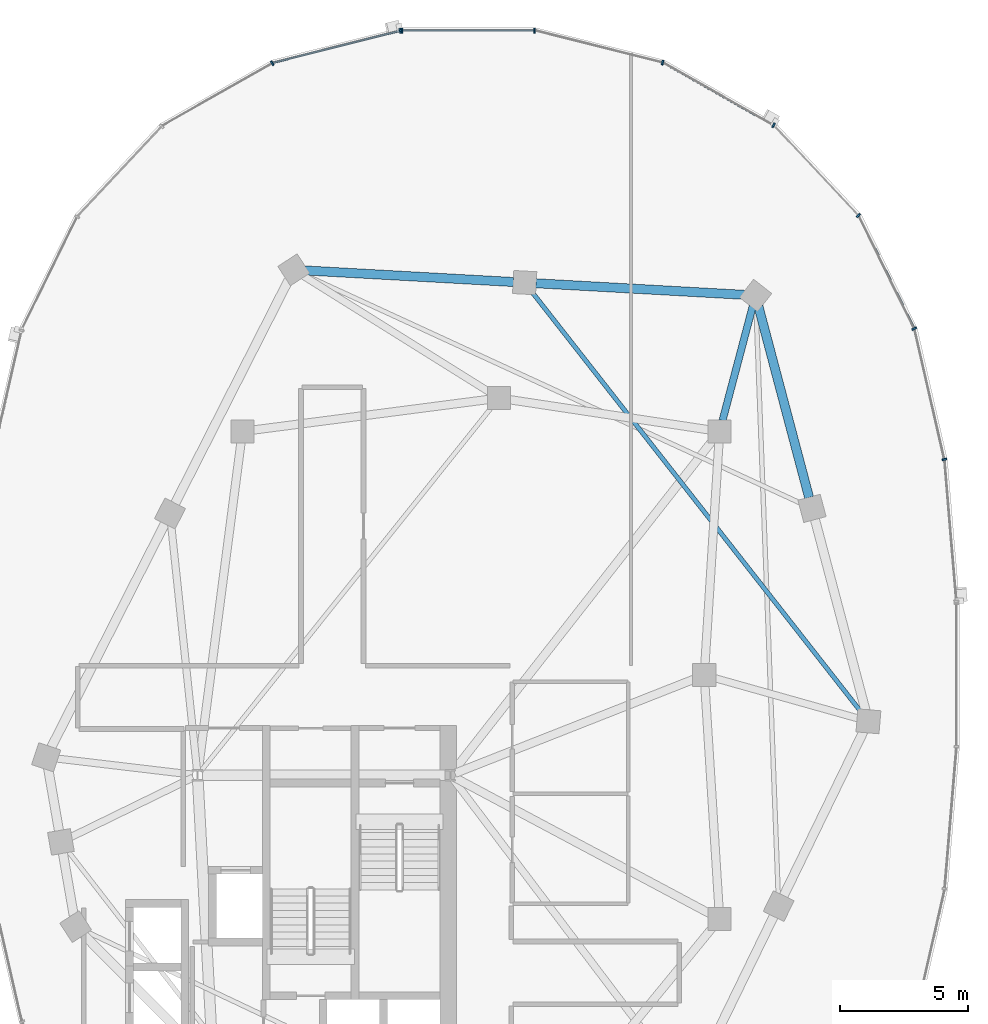
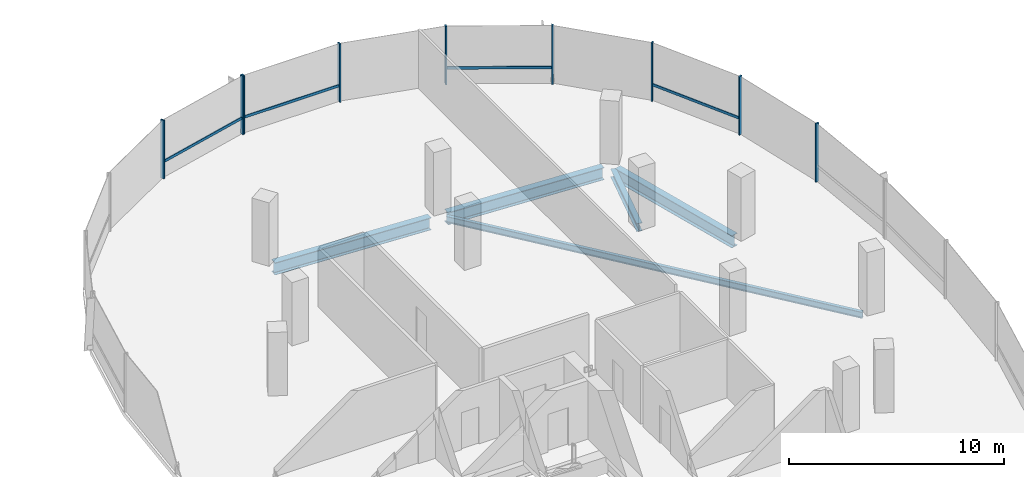
# One storey, part 12 of 24: 13 members, 5 beams, 2 elements without a shape of their own.
"""IFC4 building model written with IfcOpenShell, lengths in metres."""

from ifc_helpers import new_model, si_unit, direction, frame, origin, origin_2d, place, context, subcontext, project, spatial, rectangle, i_section, extrude, material, material_profile, profile_set, type_object, element, aggregate, save


model = new_model("IFC4")

# Units and contexts
model_context = context("Model", 3, precision=1e-05, world=origin(), true_north=direction((0.0, 1.0)))
body_context = subcontext(model_context, "Body", "Model", "MODEL_VIEW")
ifc_project = project(units=[si_unit("LENGTHUNIT", "METRE"), si_unit("AREAUNIT", "SQUARE_METRE"), si_unit("VOLUMEUNIT", "CUBIC_METRE"), si_unit("PLANEANGLEUNIT", "RADIAN"), si_unit("MASSUNIT", "GRAM", prefix="KILO"), si_unit("THERMODYNAMICTEMPERATUREUNIT", "KELVIN"), si_unit("POWERUNIT", "WATT")], contexts=[model_context])

# Site, building, storey
site_placement = place(None, origin())
site = spatial("IfcSite", under=ifc_project, at=site_placement, CompositionType="ELEMENT")
building_placement = place(site_placement, origin())
building = spatial("IfcBuilding", under=site, at=building_placement, Name="Cundina Bronze Exchange", CompositionType="ELEMENT")
storey_placement = place(building_placement, frame((0.0, 0.0, 231.39990234375)))
storey = spatial("IfcBuildingStorey", under=building, at=storey_placement, Name="L61", CompositionType="ELEMENT", Elevation=231.39990234375)

# Beams
ifc_material_1 = material(Name="Steel ASTM A992 Grade 50", Category="steel")
ifc_material_profile_1 = material_profile(ifc_material_1, i_section(OverallWidth=0.280029296875, OverallDepth=0.462890625, WebThickness=0.0107421875, FlangeThickness=0.017333984375, FilletRadius=0.011962890625, at=origin_2d()), Name="W18X76", Category="steel")
ifc_profile_set_1 = profile_set([ifc_material_profile_1], Name="Steel ASTM A992 Grade 50")
beam_type_1 = type_object("IfcBeamType", Name="BM-FLR-W18A", PredefinedType="BEAM", material=ifc_profile_set_1)
beam_1_placement = place(storey_placement, frame((41.911865234375, 9.923583984375, -0.491455078125), z_axis=(0.255398602339, 0.96683584642, 0.0), x_axis=(-0.96683584642, 0.255398602339, 0.0)))
element("IfcBeam", 1, at=beam_1_placement, inside=storey, type_object=beam_type_1, Name="L61 Leg E Chordal Floor Beam 10", PredefinedType="BEAM", context=body_context, shape_type="SweptSolid", body=[
    extrude(i_section(OverallWidth=0.280029296875, OverallDepth=0.462890625, WebThickness=0.0107421875, FlangeThickness=0.017333984375, FilletRadius=0.011962890625, at=origin_2d()), origin(), (0.0, 0.0, 1.0), 4.605712890625),
])
ifc_material_profile_2 = material_profile(ifc_material_1, i_section(OverallWidth=0.172119140625, OverallDepth=0.35791015625, WebThickness=0.0078125, FlangeThickness=0.01318359375, FilletRadius=0.010009765625, at=origin_2d()), Name="W14X38", Category="steel")
ifc_profile_set_2 = profile_set([ifc_material_profile_2], Name="Steel ASTM A992 Grade 50")
beam_type_2 = type_object("IfcBeamType", Name="BM-JST-W14", PredefinedType="JOIST", material=ifc_profile_set_2)
beam_2_placement = place(storey_placement, frame((47.329833984375, -1.455078125, -0.43896484375), z_axis=(-0.616810493522, 0.787111691618, 0.0), x_axis=(-0.787111691618, -0.616810493522, 0.0)))
element("IfcBeam", 2, at=beam_2_placement, inside=storey, type_object=beam_type_2, Name="L61 Leg E Lobe Floor Joist 08-11", PredefinedType="JOIST", context=body_context, shape_type="SweptSolid", body=[
    extrude(i_section(OverallWidth=0.172119140625, OverallDepth=0.35791015625, WebThickness=0.0078125, FlangeThickness=0.01318359375, FilletRadius=0.010009765625, at=origin_2d()), origin(), (0.0, 0.0, 1.0), 20.8486328125),
])
ifc_material_profile_3 = material_profile(ifc_material_1, i_section(OverallWidth=0.35498046875, OverallDepth=0.695068359375, WebThickness=0.015380859375, FlangeThickness=0.02490234375, FilletRadius=0.01806640625, at=origin_2d()), Name="W27X146", Category="steel")
ifc_profile_set_3 = profile_set([ifc_material_profile_3], Name="Steel ASTM A992 Grade 50")
beam_type_3 = type_object("IfcBeamType", Name="BM-RING-W27", PredefinedType="USERDEFINED", material=ifc_profile_set_3)
beam_3_placement = place(storey_placement, frame((45.287841796875, 6.92333984375, -0.607421875), z_axis=(-0.256211934474, 0.966620631185, 0.0), x_axis=(-0.966620631185, -0.256211934474, 0.0)))
element("IfcBeam", 3, at=beam_3_placement, inside=storey, type_object=beam_type_3, Name="L61 E Perimeter Ring Girder 09", ObjectType="GIRDER", PredefinedType="USERDEFINED", context=body_context, shape_type="SweptSolid", body=[
    extrude(i_section(OverallWidth=0.35498046875, OverallDepth=0.695068359375, WebThickness=0.015380859375, FlangeThickness=0.02490234375, FilletRadius=0.01806640625, at=origin_2d()), origin(), (0.0, 0.0, 1.0), 7.710693359375),
])
for number, where, z_axis, x_axis, name in (
    (4, (42.7626953125, 14.82421875, -0.607421875), (-0.998460353205, 0.055470019623, 0.0), (-0.055470019623, -0.998460353205, 0.0), "L61 E Perimeter Ring Girder 10"),
    (5, (33.7626953125, 15.32421875, -0.607421875), (-0.998460353205, 0.055470019623, 0.0), (-0.055470019623, -0.998460353205, 0.0), "L61 E Perimeter Ring Girder 11"),
):
    element("IfcBeam", number, at=place(storey_placement, frame(where, z_axis=z_axis, x_axis=x_axis)), inside=storey, type_object=beam_type_3, Name=name, ObjectType="GIRDER", PredefinedType="USERDEFINED", context=body_context, shape_type="SweptSolid", body=[
        extrude(i_section(OverallWidth=0.35498046875, OverallDepth=0.695068359375, WebThickness=0.015380859375, FlangeThickness=0.02490234375, FilletRadius=0.01806640625, at=origin_2d()), origin(), (0.0, 0.0, 1.0), 8.137939453125),
    ])

# Curtain wall, members
ifc_material_2 = material(Name="Anodised Bronze Aluminium 6063-T6", Category="aluminium")
curtain_wall_type = type_object("IfcCurtainWallType", Name="CWS-UPP-OFF", PredefinedType="NOTDEFINED", material=ifc_material_2)
curtain_wall_1_placement = place(storey_placement, origin())
curtain_wall_1 = element("IfcCurtainWall", 6, at=curtain_wall_1_placement, inside=storey, type_object=curtain_wall_type, Name="L61 CW-05 Curtain Wall Run CWR-L61-E1", PredefinedType="NOTDEFINED")
ifc_material_profile_4 = material_profile(ifc_material_2, rectangle(XDim=0.070068359375, YDim=0.18994140625, at=origin_2d()), Name="AL70X190", Category="aluminium")
ifc_profile_set_4 = profile_set([ifc_material_profile_4], Name="Anodised Bronze Aluminium 6063-T6")
member_type_1 = type_object("IfcMemberType", Name="CWM-MUL-190", PredefinedType="MULLION", material=ifc_profile_set_4)
member_1_placement = place(storey_placement, frame((50.56005859375, 8.4111328125, 0.0), z_axis=(0.0, 0.0, 1.0), x_axis=(-0.223250116011, 0.974761194191, 0.0)))
member_1 = element("IfcMember", 7, at=member_1_placement, type_object=member_type_1, Name="CW-05 Mullion 2", PredefinedType="MULLION", context=body_context, shape_type="SweptSolid", body=[
    extrude(rectangle(XDim=0.070068359375, YDim=0.18994140625, at=origin_2d()), origin(), (0.0, 0.0, 1.0), 3.320068359375),
])
member_2_placement = place(storey_placement, frame((49.38427734375, 13.50732421875, 0.0), z_axis=(0.0, 0.0, 1.0), x_axis=(-0.440566004113, 0.897720221461, 0.0)))
member_2 = element("IfcMember", 8, at=member_2_placement, type_object=member_type_1, Name="CW-05 Mullion 3", PredefinedType="MULLION", context=body_context, shape_type="SweptSolid", body=[
    extrude(rectangle(XDim=0.070068359375, YDim=0.18994140625, at=origin_2d()), origin(), (0.0, 0.0, 1.0), 3.320068359375),
])
member_3_placement = place(storey_placement, frame((47.209716796875, 17.91796875, 0.0), z_axis=(0.0, 0.0, 1.0), x_axis=(-0.684292606175, 0.729207535023, 0.0)))
member_3 = element("IfcMember", 9, at=member_3_placement, type_object=member_type_1, Name="CW-05 Mullion 4", PredefinedType="MULLION", context=body_context, shape_type="SweptSolid", body=[
    extrude(rectangle(XDim=0.070068359375, YDim=0.18994140625, at=origin_2d()), origin(), (0.0, 0.0, 1.0), 3.320068359375),
])
member_4_placement = place(storey_placement, frame((43.899658203125, 21.43115234375, 0.0), z_axis=(0.0, 0.0, 1.0), x_axis=(-0.86958112538, 0.493790103568, 0.0)))
member_4 = element("IfcMember", 10, at=member_4_placement, type_object=member_type_1, Name="CW-05 Mullion 5", PredefinedType="MULLION", context=body_context, shape_type="SweptSolid", body=[
    extrude(rectangle(XDim=0.070068359375, YDim=0.18994140625, at=origin_2d()), origin(), (0.0, 0.0, 1.0), 3.320068359375),
])
member_5_placement = place(storey_placement, frame((39.577392578125, 23.87548828125, 0.0), z_axis=(0.0, 0.0, 1.0), x_axis=(-0.969744325821, 0.244122802168, 0.0)))
member_5 = element("IfcMember", 11, at=member_5_placement, type_object=member_type_1, Name="CW-05 Mullion 6", PredefinedType="MULLION", context=body_context, shape_type="SweptSolid", body=[
    extrude(rectangle(XDim=0.070068359375, YDim=0.18994140625, at=origin_2d()), origin(), (0.0, 0.0, 1.0), 3.320068359375),
])
member_6_placement = place(storey_placement, frame((34.580078125, 25.125, 0.0), z_axis=(0.0, 0.0, 1.0), x_axis=(-1.0, 0.0, 0.0)))
member_6 = element("IfcMember", 12, at=member_6_placement, type_object=member_type_1, Name="CW-05 Mullion 7", PredefinedType="MULLION", context=body_context, shape_type="SweptSolid", body=[
    extrude(rectangle(XDim=0.070068359375, YDim=0.18994140625, at=origin_2d()), origin(), (0.0, 0.0, 1.0), 3.320068359375),
])
member_7_placement = place(storey_placement, frame((29.419921875, 25.125, 0.0), z_axis=(0.0, 0.0, 1.0), x_axis=(-1.0, 0.0, 0.0)))
member_7 = element("IfcMember", 13, at=member_7_placement, type_object=member_type_1, Name="CW-05 End Mullion", PredefinedType="MULLION", context=body_context, shape_type="SweptSolid", body=[
    extrude(rectangle(XDim=0.070068359375, YDim=0.18994140625, at=origin_2d()), origin(), (0.0, 0.0, 1.0), 3.320068359375),
])

curtain_wall_2_placement = place(storey_placement, origin())
curtain_wall_2 = element("IfcCurtainWall", 14, at=curtain_wall_2_placement, inside=storey, type_object=curtain_wall_type, Name="L61 CW-05 Curtain Wall Run CWR-L61-E2", PredefinedType="NOTDEFINED")
member_8_placement = place(storey_placement, frame((29.3515625, 25.116455078125, 0.0), z_axis=(0.0, 0.0, 1.0), x_axis=(-0.969744325821, -0.244122802168, 0.0)))
member_8 = element("IfcMember", 15, at=member_8_placement, type_object=member_type_1, Name="CW-05 Mullion 1", PredefinedType="MULLION", context=body_context, shape_type="SweptSolid", body=[
    extrude(rectangle(XDim=0.070068359375, YDim=0.18994140625, at=origin_2d()), origin(), (0.0, 0.0, 1.0), 3.320068359375),
])
member_9_placement = place(storey_placement, frame((24.361083984375, 23.850830078125, 0.0), z_axis=(0.0, 0.0, 1.0), x_axis=(-0.86958112538, -0.493790103568, 0.0)))
member_9 = element("IfcMember", 16, at=member_9_placement, type_object=member_type_1, Name="CW-05 Mullion 2", PredefinedType="MULLION", context=body_context, shape_type="SweptSolid", body=[
    extrude(rectangle(XDim=0.070068359375, YDim=0.18994140625, at=origin_2d()), origin(), (0.0, 0.0, 1.0), 3.320068359375),
])

# Member
ifc_material_profile_5 = material_profile(ifc_material_2, rectangle(XDim=0.06494140625, YDim=0.14990234375, at=origin_2d()), Name="AL65X150", Category="aluminium")
ifc_profile_set_5 = profile_set([ifc_material_profile_5], Name="Anodised Bronze Aluminium 6063-T6")
member_type_2 = type_object("IfcMemberType", Name="CWM-TRN-150", PredefinedType="USERDEFINED", material=ifc_profile_set_5)
member_10_placement = place(storey_placement, frame((49.3671875, 13.5419921875, 0.920166015625), z_axis=(-0.440483110889, 0.897760897467, 0.0), x_axis=(-0.897760897467, -0.440483110889, 0.0)))
member_10 = element("IfcMember", 17, at=member_10_placement, type_object=member_type_2, Name="CW-05 Spandrel Transom 3", ObjectType="TRANSOM", PredefinedType="USERDEFINED", context=body_context, shape_type="SweptSolid", body=[
    extrude(rectangle(XDim=0.06494140625, YDim=0.14990234375, at=origin_2d()), origin(), (0.0, 0.0, 1.0), 4.855224609375),
])

member_11_placement = place(storey_placement, frame((43.8662109375, 21.4501953125, 0.920166015625), z_axis=(-0.869573748083, 0.493803095013, 0.0), x_axis=(-0.493803095013, -0.869573748083, 0.0)))
member_11 = element("IfcMember", 18, at=member_11_placement, type_object=member_type_2, Name="CW-05 Spandrel Transom 5", ObjectType="TRANSOM", PredefinedType="USERDEFINED", context=body_context, shape_type="SweptSolid", body=[
    extrude(rectangle(XDim=0.06494140625, YDim=0.14990234375, at=origin_2d()), origin(), (0.0, 0.0, 1.0), 4.900146484375),
])

member_12_placement = place(storey_placement, frame((34.54150390625, 25.125, 0.920166015625), z_axis=(-1.0, 0.0, 0.0), x_axis=(0.0, -1.0, 0.0)))
member_12 = element("IfcMember", 19, at=member_12_placement, type_object=member_type_2, Name="CW-05 Spandrel Transom 7", ObjectType="TRANSOM", PredefinedType="USERDEFINED", context=body_context, shape_type="SweptSolid", body=[
    extrude(rectangle(XDim=0.06494140625, YDim=0.14990234375, at=origin_2d()), origin(), (0.0, 0.0, 1.0), 5.0830078125),
])

aggregate(curtain_wall_1, [member_1, member_2, member_10, member_3, member_4, member_11, member_5, member_6, member_7, member_12])

member_13_placement = place(storey_placement, frame((29.314208984375, 25.107177734375, 0.920166015625), z_axis=(-0.969725738797, -0.244196624699, 0.0), x_axis=(0.244196624699, -0.969725738797, 0.0)))
member_13 = element("IfcMember", 20, at=member_13_placement, type_object=member_type_2, Name="CW-05 Spandrel Transom 1", ObjectType="TRANSOM", PredefinedType="USERDEFINED", context=body_context, shape_type="SweptSolid", body=[
    extrude(rectangle(XDim=0.06494140625, YDim=0.14990234375, at=origin_2d()), origin(), (0.0, 0.0, 1.0), 5.082763671875),
])

aggregate(curtain_wall_2, [member_8, member_13, member_9])

save(model, "model.ifc")
